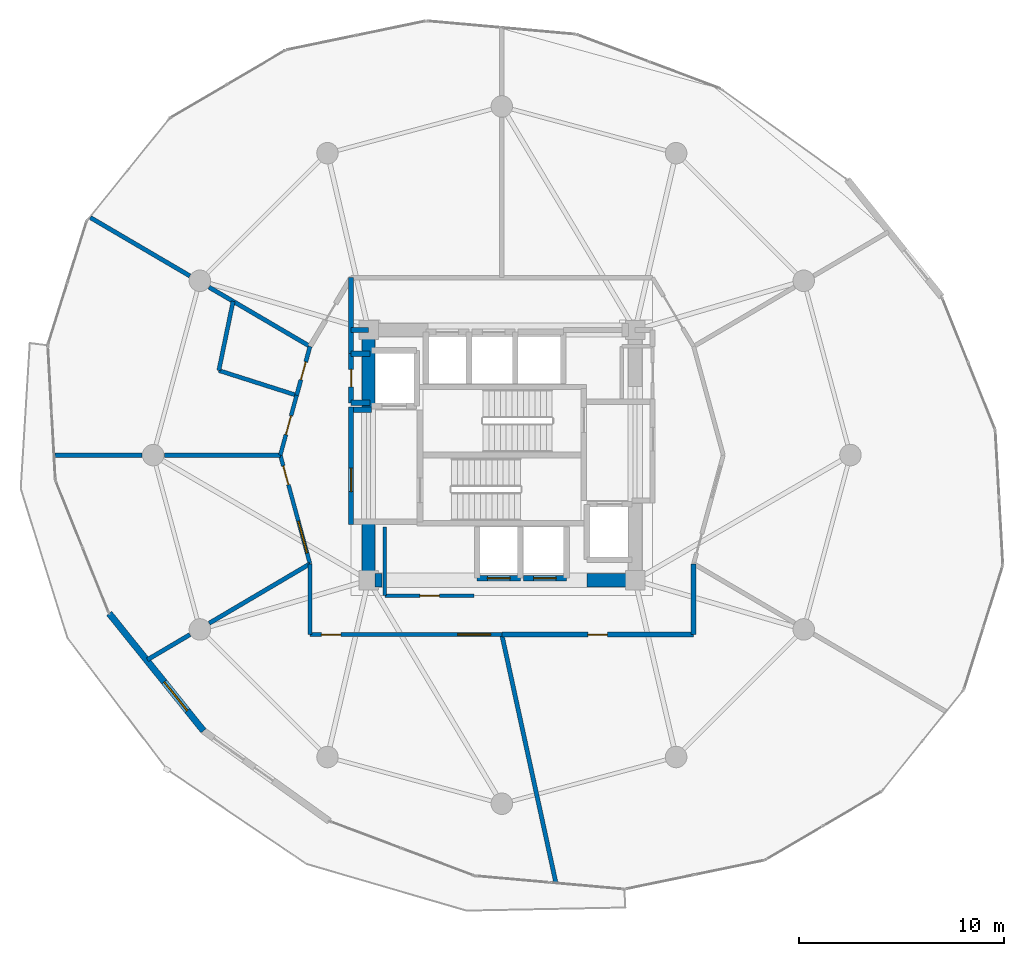
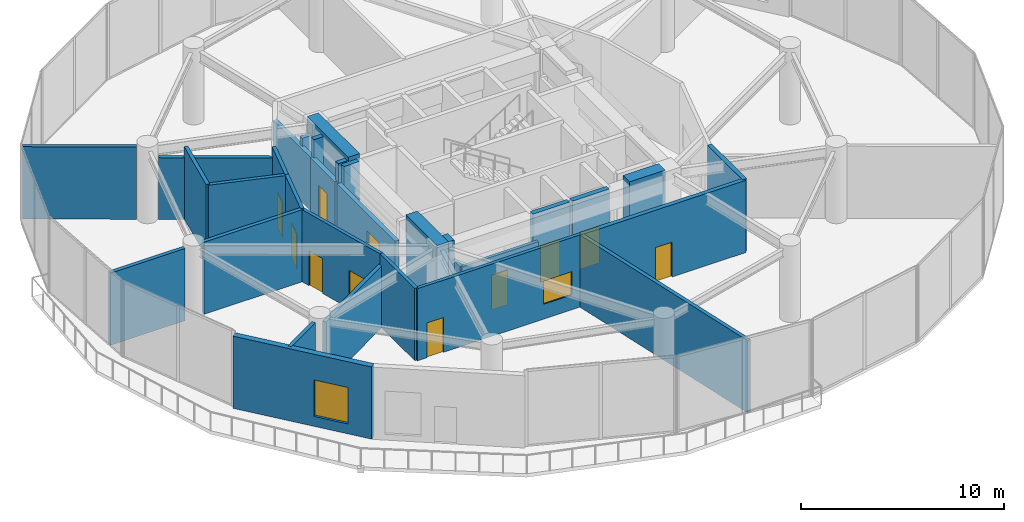
# One storey, part 24 of 28: 32 walls, 10 doors, 3 windows, 13 openings.
"""IFC4 building model written with IfcOpenShell, lengths in metres."""

import ifcopenshell
import ifcopenshell.guid

model = None  # the IFC model being written
_history = None  # IfcOwnerHistory: only IFC2X3 demands one
_inside = {}  # id of a spatial element -> (the spatial element, [elements in it])
_under = {}  # id of a project, library or spatial element -> (it, [spatial elements below it])
_declared = {}  # id of a project -> (the project, [libraries it declares])
_typed = {}  # id of a type object -> (the type object, [elements of that type])
_made_of = {}  # id of a material, layer set ... -> (it, [elements and type objects made of it])


def new_model(schema):
    """Start an empty IFC model of exactly this schema.

    Asked for "IFC4X3", IfcOpenShell would pick the latest addendum, in which some entities
    have other attributes; the version numbers below select the first issue.
    IFC2X3 requires an IfcOwnerHistory on every rooted entity: one is made here for all.
    """
    global model, _history
    if schema == "IFC4X3":
        model = ifcopenshell.file(schema_version=(4, 3, 0, 0))
    else:
        model = ifcopenshell.file(schema=schema)
    _inside.clear()
    _under.clear()
    _declared.clear()
    _typed.clear()
    _made_of.clear()
    _history = None
    if model.schema == "IFC2X3":
        org = make("IfcOrganization", Name="unknown")
        user = make(
            "IfcPersonAndOrganization",
            ThePerson=make("IfcPerson", FamilyName="unknown"),
            TheOrganization=org,
        )
        app = make(
            "IfcApplication",
            ApplicationDeveloper=org,
            Version="unknown",
            ApplicationFullName="unknown",
            ApplicationIdentifier="unknown",
        )
        _history = make(
            "IfcOwnerHistory",
            OwningUser=user,
            OwningApplication=app,
            ChangeAction="ADDED",
            CreationDate=0,
        )
    return model


def make(cls, **values):
    """One entity of the class cls with the attributes given. An attribute that is None is left unset."""
    return model.create_entity(
        cls, **{name: value for name, value in values.items() if value is not None}
    )


def rooted(cls, **values):
    """An entity with a GlobalId (a new one), such as an element, a storey or a relation."""
    return make(cls, GlobalId=ifcopenshell.guid.new(), OwnerHistory=_history, **values)


def si_unit(unit_type, name, prefix=None):
    """IfcSIUnit, for example si_unit("LENGTHUNIT", "METRE", prefix="MILLI")."""
    return make("IfcSIUnit", UnitType=unit_type, Prefix=prefix, Name=name)


def assignment(units):
    """IfcUnitAssignment: the units of a project."""
    return None if units is None else make("IfcUnitAssignment", Units=units)


def point(xyz):
    """IfcCartesianPoint."""
    return None if xyz is None else make("IfcCartesianPoint", Coordinates=xyz)


def direction(xyz):
    """IfcDirection."""
    return None if xyz is None else make("IfcDirection", DirectionRatios=xyz)


def frame(location, z_axis=None, x_axis=None):
    """IfcAxis2Placement3D, a coordinate frame: its origin and axes. An axis left out is left unset."""
    return make(
        "IfcAxis2Placement3D",
        Location=point(location),
        Axis=direction(z_axis),
        RefDirection=direction(x_axis),
    )


def frame_2d(location, x_axis=None):
    """IfcAxis2Placement2D, a coordinate frame in the plane: its origin and x axis."""
    return make(
        "IfcAxis2Placement2D", Location=point(location), RefDirection=direction(x_axis)
    )


def origin():
    """The frame at (0, 0, 0) with its axes left unset."""
    return frame((0.0, 0.0, 0.0))


def place(relative_to, where):
    """IfcLocalPlacement: puts the frame where relative to a parent placement (None: the world)."""
    return make(
        "IfcLocalPlacement", PlacementRelTo=relative_to, RelativePlacement=where
    )


def context(
    kind, dimensions, precision=None, world=None, true_north=None, identifier=None
):
    """IfcGeometricRepresentationContext, for example the 3D "Model" context."""
    return make(
        "IfcGeometricRepresentationContext",
        ContextIdentifier=identifier,
        ContextType=kind,
        CoordinateSpaceDimension=dimensions,
        Precision=precision,
        WorldCoordinateSystem=world,
        TrueNorth=true_north,
    )


def subcontext(parent, identifier, kind, view, scale=None):
    """IfcGeometricRepresentationSubContext, for example "Body" below "Model"."""
    return make(
        "IfcGeometricRepresentationSubContext",
        ContextIdentifier=identifier,
        ContextType=kind,
        ParentContext=parent,
        TargetScale=scale,
        TargetView=view,
    )


def project(units=None, contexts=None):
    """IfcProject with its units and contexts."""
    return rooted(
        "IfcProject",
        Name="project",
        RepresentationContexts=contexts,
        UnitsInContext=assignment(units),
    )


def spatial(cls, under=None, at=None, **own):
    """A site, building, storey or space (cls), placed at a placement, below another one or the project."""
    s = rooted(cls, ObjectPlacement=at, **own)
    if under is not None:
        _under.setdefault(under.id(), (under, []))[1].append(s)
    return s


def profile(cls, at=None, kind="AREA", **sizes):
    """A parametric profile (cls). Its sizes go by their IFC names, for example OverallWidth=200.0."""
    return make(cls, ProfileType=kind, Position=at, **sizes)


def rectangle(**sizes):
    """IfcRectangleProfileDef."""
    return profile("IfcRectangleProfileDef", **sizes)


def extrude(swept, where, along, depth):
    """IfcExtrudedAreaSolid: the profile swept, set in the frame where, extruded along a direction by depth."""
    return make(
        "IfcExtrudedAreaSolid",
        SweptArea=swept,
        Position=where,
        ExtrudedDirection=direction(along),
        Depth=depth,
    )


def shape(context_of_items, identifier, shape_type, items):
    """IfcShapeRepresentation: the items that make up one representation, for example the "Body"."""
    return make(
        "IfcShapeRepresentation",
        ContextOfItems=context_of_items,
        RepresentationIdentifier=identifier,
        RepresentationType=shape_type,
        Items=items,
    )


def material(Name=None, Category=None):
    """IfcMaterial."""
    return make("IfcMaterial", Name=Name, Category=Category)


def layer(
    of_material, thickness, ventilated=None, Name=None, Category=None, Priority=None
):
    """IfcMaterialLayer: one layer of a wall or slab, of a material (None: an air gap)."""
    return make(
        "IfcMaterialLayer",
        Material=of_material,
        LayerThickness=thickness,
        IsVentilated=ventilated,
        Name=Name,
        Category=Category,
        Priority=Priority,
    )


def layer_set(layers, Name=None):
    """IfcMaterialLayerSet."""
    return make("IfcMaterialLayerSet", MaterialLayers=layers, LayerSetName=Name)


def made_of(thing, what):
    """Note that an element or type object is made of a material, layer set ...; save() writes the relation."""
    if what is not None:
        _made_of.setdefault(what.id(), (what, []))[1].append(thing)
    return thing


def type_object(cls, material=None, **own):
    """A type object (cls), such as IfcWallType, which elements share."""
    return made_of(rooted(cls, **own), material)


def element(
    cls,
    number,
    at=None,
    inside=None,
    cuts=None,
    type_object=None,
    material=None,
    context=None,
    identifier="Body",
    shape_type=None,
    held_by="IfcProductDefinitionShape",
    body=None,
    shapes=None,
    **own,
):
    """One element of the class cls, such as IfcWall. Its Tag is "e" and its number.

    at: its placement. inside: the storey or other place that contains it. cuts: it is an
    opening in that element (IfcRelVoidsElement). A single representation is given by context,
    identifier, shape_type and body (its items); several are given by shapes. held_by: the class
    of the entity that holds the representations. save() writes the other relations.
    """
    e = rooted(cls, Tag="e%d" % number, ObjectPlacement=at, **own)
    if body is not None:
        shapes = [shape(context, identifier, shape_type, body)]
    if shapes is not None:
        e.Representation = make(held_by, Representations=shapes)
    if inside is not None:
        _inside.setdefault(inside.id(), (inside, []))[1].append(e)
    if cuts is not None:
        rooted(
            "IfcRelVoidsElement", RelatingBuildingElement=cuts, RelatedOpeningElement=e
        )
    if type_object is not None:
        _typed.setdefault(type_object.id(), (type_object, []))[1].append(e)
    return made_of(e, material)


def fill(opening, filler):
    """IfcRelFillsElement: the door or window that sits in an opening."""
    return rooted(
        "IfcRelFillsElement",
        RelatingOpeningElement=opening,
        RelatedBuildingElement=filler,
    )


def aggregate(whole, parts):
    """IfcRelAggregates: a whole, such as a stair, and the parts it consists of."""
    return rooted("IfcRelAggregates", RelatingObject=whole, RelatedObjects=parts)


def save(model, path):
    """Write the relations noted so far, then the file.

    IfcRelAggregates (storeys below a building ...), IfcRelContainedInSpatialStructure (elements
    in a storey), IfcRelDefinesByType, IfcRelAssociatesMaterial and IfcRelDeclares: one each for
    every whole, place, type object, material and project.
    """
    for whole, parts in _under.values():
        aggregate(whole, parts)
    for where, things in _inside.values():
        rooted(
            "IfcRelContainedInSpatialStructure",
            RelatedElements=things,
            RelatingStructure=where,
        )
    for kind, things in _typed.values():
        rooted("IfcRelDefinesByType", RelatedObjects=things, RelatingType=kind)
    for what, things in _made_of.values():
        rooted("IfcRelAssociatesMaterial", RelatedObjects=things, RelatingMaterial=what)
    for by, libraries in _declared.values():
        rooted("IfcRelDeclares", RelatingContext=by, RelatedDefinitions=libraries)
    model.write(path)


model = new_model("IFC4")

# Units and contexts
model_context = context("Model", 3, precision=1e-05, world=origin(), true_north=direction((0.0, 1.0)))
body_context = subcontext(model_context, "Body", "Model", "MODEL_VIEW")
ifc_project = project(units=[si_unit("LENGTHUNIT", "METRE"), si_unit("AREAUNIT", "SQUARE_METRE"), si_unit("VOLUMEUNIT", "CUBIC_METRE"), si_unit("PLANEANGLEUNIT", "RADIAN"), si_unit("MASSUNIT", "GRAM", prefix="KILO")], contexts=[model_context])

# Site, building, storey
site_placement = place(None, origin())
site = spatial("IfcSite", under=ifc_project, at=site_placement, CompositionType="ELEMENT")
building_placement = place(site_placement, origin())
building = spatial("IfcBuilding", under=site, at=building_placement, Name="Solvirekh Grand Hotel", CompositionType="ELEMENT")
storey_placement = place(building_placement, frame((0.0, 0.0, 98.0)))
storey = spatial("IfcBuildingStorey", under=building, at=storey_placement, Name="L24", CompositionType="ELEMENT", Elevation=98.0)

# Wall, opening, door
ifc_material_1 = material(Name="Concrete C40/50", Category="concrete")
ifc_layer_1 = layer(ifc_material_1, 0.280029296875)
ifc_layer_set_1 = layer_set([ifc_layer_1], Name="Concrete C40/50")
wall_type_1 = type_object("IfcWallType", Name="CoreShaftWall_RC280", PredefinedType="SOLIDWALL", material=ifc_layer_set_1)
wall_1_placement = place(storey_placement, frame((-1.199951171875, -6.0, 0.0), z_axis=(0.0, 0.0, 1.0), x_axis=(1.0, 0.0, 0.0)))
wall_1 = element("IfcWall", 1, at=wall_1_placement, inside=storey, type_object=wall_type_1, Name="L24 MP-1 hoistway S wall", PredefinedType="SOLIDWALL", context=body_context, shape_type="SweptSolid", body=[
    extrude(rectangle(XDim=2.099853515625, YDim=0.280029296875, at=frame_2d((1.0498046875, 0.0))), origin(), (0.0, 0.0, 1.0), 4.35009765625),
])
opening_1_placement = place(wall_1_placement, frame((0.5, 0.0, 0.0)))
opening_1 = element("IfcOpeningElement", 2, at=opening_1_placement, cuts=wall_1, Name="Opening LD01", PredefinedType="OPENING", context=body_context, shape_type="SweptSolid", body=[
    extrude(rectangle(XDim=1.10009765625, YDim=2.199951171875, at=frame_2d((0.550048828125, 1.10009765625))), frame((0.0, 0.14990234375, 0.0), z_axis=(0.0, -1.0, 0.0), x_axis=(1.0, 0.0, 0.0)), (0.0, 0.0, 1.0), 0.300048828125),
])
ifc_material_2 = material(Name="Fire-Rated Steel Door Assembly", Category="steel")
door_type_1 = type_object("IfcDoorType", Name="Door_LiftLanding_1100X2200", OperationType="SLIDING_TO_LEFT", PredefinedType="DOOR", material=ifc_material_2)
door_1_placement = place(opening_1_placement, origin())
door_1 = element("IfcDoor", 3, at=door_1_placement, inside=storey, type_object=door_type_1, Name="L24 MP-1 sliding lift landing door", OperationType="SLIDING_TO_LEFT", OverallHeight=2.199951171875, OverallWidth=1.10009765625, PredefinedType="DOOR", context=body_context, shape_type="SweptSolid", body=[
    extrude(rectangle(XDim=1.10009765625, YDim=2.199951171875, at=frame_2d((0.550048828125, 1.10009765625))), frame((0.0, 0.02490234375, 0.0), z_axis=(0.0, -1.0, 0.0), x_axis=(1.0, 0.0, 0.0)), (0.0, 0.0, 1.0), 0.050048828125),
])
fill(opening_1, door_1)

wall_2_placement = place(storey_placement, frame((1.050048828125, -6.0, 0.0), z_axis=(0.0, 0.0, 1.0), x_axis=(1.0, 0.0, 0.0)))
wall_2 = element("IfcWall", 4, at=wall_2_placement, inside=storey, type_object=wall_type_1, Name="L24 MP-2 hoistway S wall", PredefinedType="SOLIDWALL", context=body_context, shape_type="SweptSolid", body=[
    extrude(rectangle(XDim=2.099853515625, YDim=0.280029296875, at=frame_2d((1.0498046875, 0.0))), origin(), (0.0, 0.0, 1.0), 4.35009765625),
])
opening_2_placement = place(wall_2_placement, frame((0.5, 0.0, 0.0)))
opening_2 = element("IfcOpeningElement", 5, at=opening_2_placement, cuts=wall_2, Name="Opening LD01", PredefinedType="OPENING", context=body_context, shape_type="SweptSolid", body=[
    extrude(rectangle(XDim=1.10009765625, YDim=2.199951171875, at=frame_2d((0.550048828125, 1.10009765625))), frame((0.0, 0.14990234375, 0.0), z_axis=(0.0, -1.0, 0.0), x_axis=(1.0, 0.0, 0.0)), (0.0, 0.0, 1.0), 0.300048828125),
])
door_2_placement = place(opening_2_placement, origin())
door_2 = element("IfcDoor", 6, at=door_2_placement, inside=storey, type_object=door_type_1, Name="L24 MP-2 sliding lift landing door", OperationType="SLIDING_TO_LEFT", OverallHeight=2.199951171875, OverallWidth=1.10009765625, PredefinedType="DOOR", context=body_context, shape_type="SweptSolid", body=[
    extrude(rectangle(XDim=1.10009765625, YDim=2.199951171875, at=frame_2d((0.550048828125, 1.10009765625))), frame((0.0, 0.02490234375, 0.0), z_axis=(0.0, -1.0, 0.0), x_axis=(1.0, 0.0, 0.0)), (0.0, 0.0, 1.0), 0.050048828125),
])
fill(opening_2, door_2)

# Walls
ifc_material_3 = material(Name="Concrete C50/60", Category="concrete")
ifc_layer_2 = layer(ifc_material_3, 0.64990234375)
ifc_layer_set_2 = layer_set([ifc_layer_2], Name="Concrete C50/60")
wall_type_2 = type_object("IfcWallType", Name="CoreWall_RC650", PredefinedType="SHEAR", material=ifc_layer_set_2)
wall_3_placement = place(storey_placement, frame((-6.175048828125, -6.10009765625, 0.0), z_axis=(0.0, 0.0, 1.0), x_axis=(1.0, 0.0, 0.0)))
element("IfcWall", 7, at=wall_3_placement, inside=storey, type_object=wall_type_2, Name="L24 core corner shear wall SW-S", PredefinedType="SHEAR", context=body_context, shape_type="SweptSolid", body=[
    extrude(rectangle(XDim=0.324951171875, YDim=0.64990234375, at=frame_2d((0.16259765625, 0.0))), origin(), (0.0, 0.0, 1.0), 4.60009765625),
])
wall_4_placement = place(storey_placement, frame((4.14990234375, -6.10009765625, 0.0), z_axis=(0.0, 0.0, 1.0), x_axis=(1.0, 0.0, 0.0)))
element("IfcWall", 8, at=wall_4_placement, inside=storey, type_object=wall_type_2, Name="L24 core corner shear wall SE-S", PredefinedType="SHEAR", context=body_context, shape_type="SweptSolid", body=[
    extrude(rectangle(XDim=2.025146484375, YDim=0.64990234375, at=frame_2d((1.0126953125, 0.0))), origin(), (0.0, 0.0, 1.0), 4.60009765625),
])
wall_5_placement = place(storey_placement, frame((-6.5, 2.35009765625, 0.0), z_axis=(0.0, 0.0, 1.0), x_axis=(0.0, 1.0, 0.0)))
element("IfcWall", 9, at=wall_5_placement, inside=storey, type_object=wall_type_2, Name="L24 core corner shear wall WN-W", PredefinedType="SHEAR", context=body_context, shape_type="SweptSolid", body=[
    extrude(rectangle(XDim=4.074951171875, YDim=0.64990234375, at=frame_2d((2.03759765625, 0.0))), origin(), (0.0, 0.0, 1.0), 4.60009765625),
])
wall_6_placement = place(storey_placement, frame((-6.5, -6.425048828125, 0.0), z_axis=(0.0, 0.0, 1.0), x_axis=(0.0, 1.0, 0.0)))
element("IfcWall", 10, at=wall_6_placement, inside=storey, type_object=wall_type_2, Name="L24 core corner shear wall WS-W", PredefinedType="SHEAR", context=body_context, shape_type="SweptSolid", body=[
    extrude(rectangle(XDim=3.074951171875, YDim=0.64990234375, at=frame_2d((1.53759765625, 0.0))), origin(), (0.0, 0.0, 1.0), 4.60009765625),
])

# Wall, opening, window
ifc_material_4 = material(Name="Precast concrete C45/55", Category="concrete")
ifc_layer_3 = layer(ifc_material_4, 0.320068359375)
ifc_layer_set_3 = layer_set([ifc_layer_3], Name="Precast concrete C45/55")
wall_type_3 = type_object("IfcWallType", Name="ExtLobbyWall_RC320", PredefinedType="SOLIDWALL", material=ifc_layer_set_3)
wall_7_placement = place(storey_placement, frame((-14.5458984375, -13.443115234375, 0.0), z_axis=(0.0, 0.0, 1.0), x_axis=(-0.626452409109, 0.77945967126, 0.0)))
wall_7 = element("IfcWall", 11, at=wall_7_placement, inside=storey, type_object=wall_type_3, Name="L24 exterior structural wall chord 14", PredefinedType="SOLIDWALL", context=body_context, shape_type="SweptSolid", body=[
    extrude(rectangle(XDim=7.34619140625, YDim=0.320068359375, at=frame_2d((3.673095703125, 0.0))), origin(), (0.0, 0.0, 1.0), 4.35009765625),
])
opening_3_placement = place(wall_7_placement, frame((1.257080078125, 0.0, 0.60009765625)))
opening_3 = element("IfcOpeningElement", 12, at=opening_3_placement, cuts=wall_7, Name="Opening SK02", PredefinedType="OPENING", context=body_context, shape_type="SweptSolid", body=[
    extrude(rectangle(XDim=1.800048828125, YDim=2.199951171875, at=frame_2d((0.89990234375, 1.10009765625))), frame((0.0, 0.169921875, 0.0), z_axis=(0.0, -1.0, 0.0), x_axis=(1.0, 0.0, 0.0)), (0.0, 0.0, 1.0), 0.340087890625),
])
ifc_material_5 = material(Name="Champagne Low-Iron Crown Laminated Glass", Category="glass")
window_type_1 = type_object("IfcWindowType", Name="Skylight_Pod_1800X2200", PartitioningType="SINGLE_PANEL", PredefinedType="SKYLIGHT", material=ifc_material_5)
window_1_placement = place(opening_3_placement, origin())
window_1 = element("IfcWindow", 13, at=window_1_placement, inside=storey, type_object=window_type_1, Name="L24 high-level clerestory skylight 14", OverallHeight=2.199951171875, OverallWidth=1.800048828125, PartitioningType="SINGLE_PANEL", PredefinedType="SKYLIGHT", context=body_context, shape_type="SweptSolid", body=[
    extrude(rectangle(XDim=1.800048828125, YDim=2.199951171875, at=frame_2d((0.89990234375, 1.10009765625))), frame((0.0, 0.030029296875, 0.0), z_axis=(0.0, -1.0, 0.0), x_axis=(1.0, 0.0, 0.0)), (0.0, 0.0, 1.0), 0.06005859375),
])
fill(opening_3, window_1)

# Wall, opening, door
ifc_material_6 = material(Name="Acoustic Gypsum Partition Assembly")
ifc_layer_4 = layer(ifc_material_6, 0.1650390625)
ifc_layer_set_4 = layer_set([ifc_layer_4], Name="Acoustic Gypsum Partition Assembly")
wall_type_4 = type_object("IfcWallType", Name="Part_BOH_165", PredefinedType="PARTITIONING", material=ifc_layer_set_4)
wall_8_placement = place(storey_placement, frame((-5.699951171875, -6.85009765625, 0.0), z_axis=(0.0, 0.0, 1.0), x_axis=(1.0, 0.0, 0.0)))
wall_8 = element("IfcWall", 14, at=wall_8_placement, inside=storey, type_object=wall_type_4, Name="L24 Mid-Zone Housekeeping Linen Room wall 1", PredefinedType="PARTITIONING", context=body_context, shape_type="SweptSolid", body=[
    extrude(rectangle(XDim=4.349853515625, YDim=0.1650390625, at=frame_2d((2.1748046875, 0.0))), origin(), (0.0, 0.0, 1.0), 3.235107421875),
])
opening_4_placement = place(wall_8_placement, frame((1.699951171875, 0.0, 0.0)))
opening_4 = element("IfcOpeningElement", 15, at=opening_4_placement, cuts=wall_8, Name="Opening D10", PredefinedType="OPENING", context=body_context, shape_type="SweptSolid", body=[
    extrude(rectangle(XDim=0.949951171875, YDim=2.10009765625, at=frame_2d((0.47509765625, 1.050048828125))), frame((0.0, 0.092529296875, 0.0), z_axis=(0.0, -1.0, 0.0), x_axis=(1.0, 0.0, 0.0)), (0.0, 0.0, 1.0), 0.18505859375),
])
ifc_material_7 = material(Name="Anodized Bronze Aluminium 6063-T6", Category="aluminium")
door_type_2 = type_object("IfcDoorType", Name="Door_RoomInt_950X2100", OperationType="NOTDEFINED", PredefinedType="DOOR", material=ifc_material_7)
door_3_placement = place(opening_4_placement, origin())
door_3 = element("IfcDoor", 16, at=door_3_placement, inside=storey, type_object=door_type_2, Name="L24 Mid-Zone Housekeeping Linen Room door", OperationType="SINGLE_SWING_LEFT", OverallHeight=2.10009765625, OverallWidth=0.949951171875, PredefinedType="DOOR", context=body_context, shape_type="SweptSolid", body=[
    extrude(rectangle(XDim=0.949951171875, YDim=2.10009765625, at=frame_2d((0.47509765625, 1.050048828125))), frame((0.0, 0.02490234375, 0.0), z_axis=(0.0, -1.0, 0.0), x_axis=(1.0, 0.0, 0.0)), (0.0, 0.0, 1.0), 0.050048828125),
])
fill(opening_4, door_3)

# Wall
wall_9_placement = place(storey_placement, frame((-5.699951171875, -3.5, 0.0), z_axis=(0.0, 0.0, 1.0), x_axis=(0.0, -1.0, 0.0)))
element("IfcWall", 17, at=wall_9_placement, inside=storey, type_object=wall_type_4, Name="L24 Mid-Zone Housekeeping Linen Room wall 4", PredefinedType="PARTITIONING", context=body_context, shape_type="SweptSolid", body=[
    extrude(rectangle(XDim=3.35009765625, YDim=0.1650390625, at=frame_2d((1.675048828125, 0.0))), origin(), (0.0, 0.0, 1.0), 3.235107421875),
])

# Wall, opening, door
ifc_layer_5 = layer(ifc_material_6, 0.239990234375)
ifc_layer_set_5 = layer_set([ifc_layer_5], Name="Acoustic Gypsum Partition Assembly")
wall_type_5 = type_object("IfcWallType", Name="Part_Corridor_240", PredefinedType="PARTITIONING", material=ifc_layer_set_5)
wall_10_placement = place(storey_placement, frame((-7.35009765625, -3.3798828125, 0.0), z_axis=(0.0, 0.0, 1.0), x_axis=(0.0, 1.0, 0.0)))
wall_10 = element("IfcWall", 18, at=wall_10_placement, inside=storey, type_object=wall_type_5, Name="L24 west firefighting lobby smoke screen wall", PredefinedType="PARTITIONING", context=body_context, shape_type="SweptSolid", body=[
    extrude(rectangle(XDim=5.719970703125, YDim=0.239990234375, at=frame_2d((2.85986328125, 0.0))), origin(), (0.0, 0.0, 1.0), 3.235107421875),
])
opening_5_placement = place(wall_10_placement, frame((1.59912109375, 0.0, 0.0)))
opening_5 = element("IfcOpeningElement", 19, at=opening_5_placement, cuts=wall_10, Name="Opening D06", PredefinedType="OPENING", context=body_context, shape_type="SweptSolid", body=[
    extrude(rectangle(XDim=1.14990234375, YDim=2.199951171875, at=frame_2d((0.574951171875, 1.10009765625))), frame((0.0, 0.1298828125, 0.0), z_axis=(0.0, -1.0, 0.0), x_axis=(1.0, 0.0, 0.0)), (0.0, 0.0, 1.0), 0.260009765625),
])
door_type_3 = type_object("IfcDoorType", Name="Door_FFLobby_1150X2200", OperationType="NOTDEFINED", PredefinedType="DOOR", material=ifc_material_2)
door_4_placement = place(opening_5_placement, origin())
door_4 = element("IfcDoor", 20, at=door_4_placement, inside=storey, type_object=door_type_3, Name="L24 west firefighting lobby smoke door", OperationType="SINGLE_SWING_LEFT", OverallHeight=2.199951171875, OverallWidth=1.14990234375, PredefinedType="DOOR", context=body_context, shape_type="SweptSolid", body=[
    extrude(rectangle(XDim=1.14990234375, YDim=2.199951171875, at=frame_2d((0.574951171875, 1.10009765625))), frame((0.0, 0.02490234375, 0.0), z_axis=(0.0, -1.0, 0.0), x_axis=(1.0, 0.0, 0.0)), (0.0, 0.0, 1.0), 0.050048828125),
])
fill(opening_5, door_4)

# Walls
wall_11_placement = place(storey_placement, frame((-7.35009765625, 4.949951171875, 0.0), z_axis=(0.0, 0.0, 1.0), x_axis=(0.0, 1.0, 0.0)))
element("IfcWall", 21, at=wall_11_placement, inside=storey, type_object=wall_type_5, Name="L24 north lift lobby west wall", PredefinedType="PARTITIONING", context=body_context, shape_type="SweptSolid", body=[
    extrude(rectangle(XDim=3.699951171875, YDim=0.239990234375, at=frame_2d((1.85009765625, 0.0))), origin(), (0.0, 0.0, 1.0), 3.235107421875),
])
wall_12_placement = place(storey_placement, frame((-7.35009765625, 6.10009765625, 0.0), z_axis=(0.0, 0.0, 1.0), x_axis=(1.0, 0.0, 0.0)))
element("IfcWall", 22, at=wall_12_placement, inside=storey, type_object=wall_type_5, Name="L24 NW core corner closure wall", PredefinedType="PARTITIONING", context=body_context, shape_type="SweptSolid", body=[
    extrude(rectangle(XDim=0.85009765625, YDim=0.239990234375, at=frame_2d((0.425048828125, 0.0))), origin(), (0.0, 0.0, 1.0), 3.718017578125),
])

# Wall, opening, door
wall_13_placement = place(storey_placement, frame((0.0, -8.75, 0.0), z_axis=(0.0, 0.0, 1.0), x_axis=(1.0, 0.0, 0.0)))
wall_13 = element("IfcWall", 23, at=wall_13_placement, inside=storey, type_object=wall_type_5, Name="L24 L24 Butler Valet & Linen Steward Room corridor wall", PredefinedType="PARTITIONING", context=body_context, shape_type="SweptSolid", body=[
    extrude(rectangle(XDim=9.35302734375, YDim=0.239990234375, at=frame_2d((4.676513671875, 0.0))), origin(), (0.0, 0.0, 1.0), 4.35009765625),
])
opening_6_placement = place(wall_13_placement, frame((4.201904296875, 0.0, 0.0)))
opening_6 = element("IfcOpeningElement", 24, at=opening_6_placement, cuts=wall_13, Name="Opening D10", PredefinedType="OPENING", context=body_context, shape_type="SweptSolid", body=[
    extrude(rectangle(XDim=0.949951171875, YDim=2.10009765625, at=frame_2d((0.47509765625, 1.050048828125))), frame((0.0, 0.1298828125, 0.0), z_axis=(0.0, -1.0, 0.0), x_axis=(1.0, 0.0, 0.0)), (0.0, 0.0, 1.0), 0.260009765625),
])
door_5_placement = place(opening_6_placement, origin())
door_5 = element("IfcDoor", 25, at=door_5_placement, inside=storey, type_object=door_type_2, Name="L24 L24 Butler Valet & Linen Steward Room entrance door", OperationType="SINGLE_SWING_LEFT", OverallHeight=2.10009765625, OverallWidth=0.949951171875, PredefinedType="DOOR", context=body_context, shape_type="SweptSolid", body=[
    extrude(rectangle(XDim=0.949951171875, YDim=2.10009765625, at=frame_2d((0.47509765625, 1.050048828125))), frame((0.0, 0.02490234375, 0.0), z_axis=(0.0, -1.0, 0.0), x_axis=(1.0, 0.0, 0.0)), (0.0, 0.0, 1.0), 0.050048828125),
])
fill(opening_6, door_5)

# Wall
wall_14_placement = place(storey_placement, frame((9.35302734375, -8.75, 0.0), z_axis=(0.0, 0.0, 1.0), x_axis=(0.0, 1.0, 0.0)))
element("IfcWall", 26, at=wall_14_placement, inside=storey, type_object=wall_type_5, Name="L24 L24 Butler Valet & Linen Steward Room corridor wall 2", PredefinedType="PARTITIONING", context=body_context, shape_type="SweptSolid", body=[
    extrude(rectangle(XDim=3.449951171875, YDim=0.239990234375, at=frame_2d((1.72509765625, 0.0))), origin(), (0.0, 0.0, 1.0), 4.35009765625),
])

# Wall, opening, door
ifc_layer_6 = layer(ifc_material_6, 0.18994140625)
ifc_layer_set_6 = layer_set([ifc_layer_6], Name="Acoustic Gypsum Partition Assembly")
wall_type_6 = type_object("IfcWallType", Name="Part_GuestDemise_190", PredefinedType="PARTITIONING", material=ifc_layer_set_6)
wall_15_placement = place(storey_placement, frame((-10.00390625, 2.9150390625, 0.0), z_axis=(0.0, 0.0, 1.0), x_axis=(-0.26346604157, -0.964668671068, 0.0)))
wall_15 = element("IfcWall", 27, at=wall_15_placement, inside=storey, type_object=wall_type_6, Name="L24 Sky Cloakroom & Luggage Salon corridor wall", PredefinedType="PARTITIONING", context=body_context, shape_type="SweptSolid", body=[
    extrude(rectangle(XDim=3.021728515625, YDim=0.18994140625, at=frame_2d((1.5107421875, 0.0))), origin(), (0.0, 0.0, 1.0), 4.35009765625),
])
opening_7_placement = place(wall_15_placement, frame((1.035888671875, 0.0, 0.0)))
opening_7 = element("IfcOpeningElement", 28, at=opening_7_placement, cuts=wall_15, Name="Opening D10", PredefinedType="OPENING", context=body_context, shape_type="SweptSolid", body=[
    extrude(rectangle(XDim=0.949951171875, YDim=2.10009765625, at=frame_2d((0.47509765625, 1.050048828125))), frame((0.0, 0.10498046875, 0.0), z_axis=(0.0, -1.0, 0.0), x_axis=(1.0, 0.0, 0.0)), (0.0, 0.0, 1.0), 0.2099609375),
])
door_6_placement = place(opening_7_placement, origin())
door_6 = element("IfcDoor", 29, at=door_6_placement, inside=storey, type_object=door_type_2, Name="L24 Sky Cloakroom & Luggage Salon entrance door", OperationType="SINGLE_SWING_LEFT", OverallHeight=2.10009765625, OverallWidth=0.949951171875, PredefinedType="DOOR", context=body_context, shape_type="SweptSolid", body=[
    extrude(rectangle(XDim=0.949951171875, YDim=2.10009765625, at=frame_2d((0.47509765625, 1.050048828125))), frame((0.0, 0.02490234375, 0.0), z_axis=(0.0, -1.0, 0.0), x_axis=(1.0, 0.0, 0.0)), (0.0, 0.0, 1.0), 0.050048828125),
])
fill(opening_7, door_6)

# Wall, openings, door, window
wall_16_placement = place(storey_placement, frame((-10.800048828125, 0.0, 0.0), z_axis=(0.0, 0.0, 1.0), x_axis=(0.263380602271, -0.964692001805, 0.0)))
wall_16 = element("IfcWall", 30, at=wall_16_placement, inside=storey, type_object=wall_type_6, Name="L24 Transfer Reading Lounge corridor wall", PredefinedType="PARTITIONING", context=body_context, shape_type="SweptSolid", body=[
    extrude(rectangle(XDim=5.494140625, YDim=0.18994140625, at=frame_2d((2.7470703125, 0.0))), origin(), (0.0, 0.0, 1.0), 4.35009765625),
])
opening_8_placement = place(wall_16_placement, frame((0.550048828125, 0.0, 0.0)))
opening_8 = element("IfcOpeningElement", 31, at=opening_8_placement, cuts=wall_16, Name="Opening D10", PredefinedType="OPENING", context=body_context, shape_type="SweptSolid", body=[
    extrude(rectangle(XDim=0.949951171875, YDim=2.10009765625, at=frame_2d((0.47509765625, 1.050048828125))), frame((0.0, 0.10498046875, 0.0), z_axis=(0.0, -1.0, 0.0), x_axis=(1.0, 0.0, 0.0)), (0.0, 0.0, 1.0), 0.2099609375),
])
opening_9_placement = place(wall_16_placement, frame((3.343994140625, 0.0, 0.89990234375)))
opening_9 = element("IfcOpeningElement", 32, at=opening_9_placement, cuts=wall_16, Name="Opening W04", PredefinedType="OPENING", context=body_context, shape_type="SweptSolid", body=[
    extrude(rectangle(XDim=1.60009765625, YDim=1.39990234375, at=frame_2d((0.800048828125, 0.699951171875))), frame((0.0, 0.10498046875, 0.0), z_axis=(0.0, -1.0, 0.0), x_axis=(1.0, 0.0, 0.0)), (0.0, 0.0, 1.0), 0.2099609375),
])
door_7_placement = place(opening_8_placement, origin())
door_7 = element("IfcDoor", 33, at=door_7_placement, inside=storey, type_object=door_type_2, Name="L24 Transfer Reading Lounge entrance door", OperationType="SINGLE_SWING_RIGHT", OverallHeight=2.10009765625, OverallWidth=0.949951171875, PredefinedType="DOOR", context=body_context, shape_type="SweptSolid", body=[
    extrude(rectangle(XDim=0.949951171875, YDim=2.10009765625, at=frame_2d((0.47509765625, 1.050048828125))), frame((0.0, 0.02490234375, 0.0), z_axis=(0.0, -1.0, 0.0), x_axis=(1.0, 0.0, 0.0)), (0.0, 0.0, 1.0), 0.050048828125),
])
fill(opening_8, door_7)
ifc_material_8 = material(Name="Fire-Rated Ceramic Glazing", Category="glass")
window_type_2 = type_object("IfcWindowType", Name="Win_ConfInt_1600X1400", PartitioningType="SINGLE_PANEL", PredefinedType="WINDOW", material=ifc_material_8)
window_2_placement = place(opening_9_placement, origin())
window_2 = element("IfcWindow", 34, at=window_2_placement, inside=storey, type_object=window_type_2, Name="L24 Transfer Reading Lounge interior glazed screen", OverallHeight=1.39990234375, OverallWidth=1.60009765625, PartitioningType="SINGLE_PANEL", PredefinedType="WINDOW", context=body_context, shape_type="SweptSolid", body=[
    extrude(rectangle(XDim=1.60009765625, YDim=1.39990234375, at=frame_2d((0.800048828125, 0.699951171875))), frame((0.0, 0.030029296875, 0.0), z_axis=(0.0, -1.0, 0.0), x_axis=(1.0, 0.0, 0.0)), (0.0, 0.0, 1.0), 0.06005859375),
])
fill(opening_9, window_2)

wall_17_placement = place(storey_placement, frame((-9.35302734375, -8.75, 0.0), z_axis=(0.0, 0.0, 1.0), x_axis=(1.0, 0.0, 0.0)))
wall_17 = element("IfcWall", 35, at=wall_17_placement, inside=storey, type_object=wall_type_6, Name="L24 L24 Panoramic Belvedere Salon corridor wall", PredefinedType="PARTITIONING", context=body_context, shape_type="SweptSolid", body=[
    extrude(rectangle(XDim=9.35302734375, YDim=0.18994140625, at=frame_2d((4.676513671875, 0.0))), origin(), (0.0, 0.0, 1.0), 4.35009765625),
])
opening_10_placement = place(wall_17_placement, frame((0.550048828125, 0.0, 0.0)))
opening_10 = element("IfcOpeningElement", 36, at=opening_10_placement, cuts=wall_17, Name="Opening D10", PredefinedType="OPENING", context=body_context, shape_type="SweptSolid", body=[
    extrude(rectangle(XDim=0.949951171875, YDim=2.10009765625, at=frame_2d((0.47509765625, 1.050048828125))), frame((0.0, 0.10498046875, 0.0), z_axis=(0.0, -1.0, 0.0), x_axis=(1.0, 0.0, 0.0)), (0.0, 0.0, 1.0), 0.2099609375),
])
opening_11_placement = place(wall_17_placement, frame((7.202880859375, 0.0, 0.89990234375)))
opening_11 = element("IfcOpeningElement", 37, at=opening_11_placement, cuts=wall_17, Name="Opening W04", PredefinedType="OPENING", context=body_context, shape_type="SweptSolid", body=[
    extrude(rectangle(XDim=1.60009765625, YDim=1.39990234375, at=frame_2d((0.800048828125, 0.699951171875))), frame((0.0, 0.10498046875, 0.0), z_axis=(0.0, -1.0, 0.0), x_axis=(1.0, 0.0, 0.0)), (0.0, 0.0, 1.0), 0.2099609375),
])
door_8_placement = place(opening_10_placement, origin())
door_8 = element("IfcDoor", 38, at=door_8_placement, inside=storey, type_object=door_type_2, Name="L24 L24 Panoramic Belvedere Salon entrance door", OperationType="SINGLE_SWING_RIGHT", OverallHeight=2.10009765625, OverallWidth=0.949951171875, PredefinedType="DOOR", context=body_context, shape_type="SweptSolid", body=[
    extrude(rectangle(XDim=0.949951171875, YDim=2.10009765625, at=frame_2d((0.47509765625, 1.050048828125))), frame((0.0, 0.02490234375, 0.0), z_axis=(0.0, -1.0, 0.0), x_axis=(1.0, 0.0, 0.0)), (0.0, 0.0, 1.0), 0.050048828125),
])
fill(opening_10, door_8)
window_3_placement = place(opening_11_placement, origin())
window_3 = element("IfcWindow", 39, at=window_3_placement, inside=storey, type_object=window_type_2, Name="L24 L24 Panoramic Belvedere Salon interior glazed screen", OverallHeight=1.39990234375, OverallWidth=1.60009765625, PartitioningType="SINGLE_PANEL", PredefinedType="WINDOW", context=body_context, shape_type="SweptSolid", body=[
    extrude(rectangle(XDim=1.60009765625, YDim=1.39990234375, at=frame_2d((0.800048828125, 0.699951171875))), frame((0.0, 0.030029296875, 0.0), z_axis=(0.0, -1.0, 0.0), x_axis=(1.0, 0.0, 0.0)), (0.0, 0.0, 1.0), 0.06005859375),
])
fill(opening_11, window_3)

# Walls
wall_18_placement = place(storey_placement, frame((-9.35302734375, -5.300048828125, 0.0), z_axis=(0.0, 0.0, 1.0), x_axis=(0.0, -1.0, 0.0)))
element("IfcWall", 40, at=wall_18_placement, inside=storey, type_object=wall_type_6, Name="L24 L24 Panoramic Belvedere Salon corridor wall 2", PredefinedType="PARTITIONING", context=body_context, shape_type="SweptSolid", body=[
    extrude(rectangle(XDim=3.449951171875, YDim=0.18994140625, at=frame_2d((1.72509765625, 0.0))), origin(), (0.0, 0.0, 1.0), 4.35009765625),
])
ifc_layer_7 = layer(ifc_material_6, 0.260009765625)
ifc_layer_set_7 = layer_set([ifc_layer_7], Name="Acoustic Gypsum Partition Assembly")
wall_type_7 = type_object("IfcWallType", Name="Part_LobbyFF_260", PredefinedType="PARTITIONING", material=ifc_layer_set_7)
wall_19_placement = place(storey_placement, frame((-7.22509765625, 2.2099609375, 0.0), z_axis=(0.0, 0.0, 1.0), x_axis=(1.0, 0.0, 0.0)))
element("IfcWall", 41, at=wall_19_placement, inside=storey, type_object=wall_type_7, Name="L24 west firefighting lobby NW cheek", PredefinedType="PARTITIONING", context=body_context, shape_type="SweptSolid", body=[
    extrude(rectangle(XDim=0.875, YDim=0.260009765625, at=frame_2d((0.4375, 0.0))), origin(), (0.0, 0.0, 1.0), 4.35009765625),
])
for number, where, z_axis, x_axis, name in (
    (42, (-7.35009765625, 4.949951171875, 0.0), (0.0, 0.0, 1.0), (1.0, 0.0, 0.0), "L24 NW telecom metering cupboard north wall"),
    (43, (-7.35009765625, 2.550048828125, 0.0), (0.0, 0.0, 1.0), (1.0, 0.0, 0.0), "L24 NW telecom metering cupboard south wall"),
):
    element("IfcWall", number, at=place(storey_placement, frame(where, z_axis=z_axis, x_axis=x_axis)), inside=storey, type_object=wall_type_7, Name=name, PredefinedType="PARTITIONING", context=body_context, shape_type="SweptSolid", body=[
        extrude(rectangle(XDim=0.93017578125, YDim=0.260009765625, at=frame_2d((0.465087890625, 0.0))), origin(), (0.0, 0.0, 1.0), 4.35009765625),
    ])

# Wall, opening, door
wall_20_placement = place(storey_placement, frame((-7.35009765625, 2.550048828125, 0.0), z_axis=(0.0, 0.0, 1.0), x_axis=(0.0, 1.0, 0.0)))
wall_20 = element("IfcWall", 44, at=wall_20_placement, inside=storey, type_object=wall_type_7, Name="L24 NW telecom metering cupboard access wall", PredefinedType="PARTITIONING", context=body_context, shape_type="SweptSolid", body=[
    extrude(rectangle(XDim=2.39990234375, YDim=0.260009765625, at=frame_2d((1.199951171875, 0.0))), origin(), (0.0, 0.0, 1.0), 3.235107421875),
])
opening_12_placement = place(wall_20_placement, frame((0.77490234375, 0.0, 0.0)))
opening_12 = element("IfcOpeningElement", 45, at=opening_12_placement, cuts=wall_20, Name="Opening D13", PredefinedType="OPENING", context=body_context, shape_type="SweptSolid", body=[
    extrude(rectangle(XDim=0.85009765625, YDim=2.050048828125, at=frame_2d((0.425048828125, 1.02490234375))), frame((0.0, 0.14013671875, 0.0), z_axis=(0.0, -1.0, 0.0), x_axis=(1.0, 0.0, 0.0)), (0.0, 0.0, 1.0), 0.280029296875),
])
door_type_4 = type_object("IfcDoorType", Name="Door_RiserShaft_850X2050", OperationType="NOTDEFINED", PredefinedType="DOOR", material=ifc_material_2)
door_9_placement = place(opening_12_placement, origin())
door_9 = element("IfcDoor", 46, at=door_9_placement, inside=storey, type_object=door_type_4, Name="L24 telecom metering cupboard access door", OperationType="SINGLE_SWING_LEFT", OverallHeight=2.050048828125, OverallWidth=0.85009765625, PredefinedType="DOOR", context=body_context, shape_type="SweptSolid", body=[
    extrude(rectangle(XDim=0.85009765625, YDim=2.050048828125, at=frame_2d((0.425048828125, 1.02490234375))), frame((0.0, 0.02490234375, 0.0), z_axis=(0.0, -1.0, 0.0), x_axis=(1.0, 0.0, 0.0)), (0.0, 0.0, 1.0), 0.050048828125),
])
fill(opening_12, door_9)

# Walls
ifc_layer_8 = layer(ifc_material_6, 0.2099609375)
ifc_layer_set_8 = layer_set([ifc_layer_8], Name="Acoustic Gypsum Partition Assembly")
wall_type_8 = type_object("IfcWallType", Name="Part_SuiteDemise_210", PredefinedType="PARTITIONING", material=ifc_layer_set_8)
wall_21_placement = place(storey_placement, frame((-9.35302734375, 5.300048828125, 0.0), z_axis=(0.0, 0.0, 1.0), x_axis=(-0.86249129364, 0.50607190042, 0.0)))
element("IfcWall", 47, at=wall_21_placement, inside=storey, type_object=wall_type_8, Name="L24 radial demising wall 6 (A)", PredefinedType="PARTITIONING", context=body_context, shape_type="SweptSolid", body=[
    extrude(rectangle(XDim=5.70654296875, YDim=0.2099609375, at=frame_2d((2.853271484375, 0.0))), origin(), (0.0, 0.0, 1.0), 3.718017578125),
])
wall_22_placement = place(storey_placement, frame((-15.2119140625, 8.738037109375, 0.0), z_axis=(0.0, 0.0, 1.0), x_axis=(-0.862583726105, 0.505914336088, 0.0)))
element("IfcWall", 48, at=wall_22_placement, inside=storey, type_object=wall_type_8, Name="L24 radial demising wall 6 (B)", PredefinedType="PARTITIONING", context=body_context, shape_type="SweptSolid", body=[
    extrude(rectangle(XDim=5.627197265625, YDim=0.2099609375, at=frame_2d((2.8134765625, 0.0))), origin(), (0.0, 0.0, 1.0), 4.35009765625),
])
wall_23_placement = place(storey_placement, frame((-10.800048828125, 0.0, 0.0), z_axis=(0.0, 0.0, 1.0), x_axis=(-1.0, 0.0, 0.0)))
element("IfcWall", 49, at=wall_23_placement, inside=storey, type_object=wall_type_8, Name="L24 radial demising wall 7 (A)", PredefinedType="PARTITIONING", context=body_context, shape_type="SweptSolid", body=[
    extrude(rectangle(XDim=5.655029296875, YDim=0.2099609375, at=frame_2d((2.82763671875, 0.0))), origin(), (0.0, 0.0, 1.0), 4.35009765625),
])
wall_24_placement = place(storey_placement, frame((-17.544921875, 0.0, 0.0), z_axis=(0.0, 0.0, 1.0), x_axis=(-1.0, 0.0, 0.0)))
element("IfcWall", 50, at=wall_24_placement, inside=storey, type_object=wall_type_8, Name="L24 radial demising wall 7 (B)", PredefinedType="PARTITIONING", context=body_context, shape_type="SweptSolid", body=[
    extrude(rectangle(XDim=4.2490234375, YDim=0.2099609375, at=frame_2d((2.12451171875, 0.0))), origin(), (0.0, 0.0, 1.0), 4.35009765625),
])
wall_25_placement = place(storey_placement, frame((-9.35302734375, -5.300048828125, 0.0), z_axis=(0.0, 0.0, 1.0), x_axis=(-0.86134190124, -0.508025717034, 0.0)))
element("IfcWall", 51, at=wall_25_placement, inside=storey, type_object=wall_type_8, Name="L24 radial demising wall 8 (A)", PredefinedType="PARTITIONING", context=body_context, shape_type="SweptSolid", body=[
    extrude(rectangle(XDim=5.706298828125, YDim=0.2099609375, at=frame_2d((2.85302734375, 0.0))), origin(), (0.0, 0.0, 1.0), 3.718017578125),
])
wall_26_placement = place(storey_placement, frame((-15.205078125, -8.751953125, 0.0), z_axis=(0.0, 0.0, 1.0), x_axis=(-0.861214730318, -0.508241269756, 0.0)))
element("IfcWall", 52, at=wall_26_placement, inside=storey, type_object=wall_type_8, Name="L24 radial demising wall 8 (B)", PredefinedType="PARTITIONING", context=body_context, shape_type="SweptSolid", body=[
    extrude(rectangle(XDim=2.410400390625, YDim=0.2099609375, at=frame_2d((1.205078125, 0.0))), origin(), (0.0, 0.0, 1.0), 4.35009765625),
])
wall_27_placement = place(storey_placement, frame((0.0, -8.75, 0.0), z_axis=(0.0, 0.0, 1.0), x_axis=(0.212874748332, -0.97707949601, 0.0)))
element("IfcWall", 53, at=wall_27_placement, inside=storey, type_object=wall_type_8, Name="L24 L24 Panoramic Belvedere Salon dividing partition 1", PredefinedType="PARTITIONING", context=body_context, shape_type="SweptSolid", body=[
    extrude(rectangle(XDim=12.364501953125, YDim=0.2099609375, at=frame_2d((6.18212890625, 0.0))), origin(), (0.0, 0.0, 1.0), 4.35009765625),
])

# Wall, opening, door
ifc_layer_9 = layer(ifc_material_6, 0.199951171875)
ifc_layer_set_9 = layer_set([ifc_layer_9], Name="Acoustic Gypsum Partition Assembly")
wall_type_9 = type_object("IfcWallType", Name="Plumb_PublicWC_200", PredefinedType="PLUMBINGWALL", material=ifc_layer_set_9)
wall_28_placement = place(storey_placement, frame((-9.35302734375, 5.300048828125, 0.0), z_axis=(0.0, 0.0, 1.0), x_axis=(-0.263276167071, -0.964720508672, 0.0)))
wall_28 = element("IfcWall", 54, at=wall_28_placement, inside=storey, type_object=wall_type_9, Name="L24 Sky Lobby Accessible WC corridor wall", PredefinedType="PLUMBINGWALL", context=body_context, shape_type="SweptSolid", body=[
    extrude(rectangle(XDim=2.47216796875, YDim=0.199951171875, at=frame_2d((1.236083984375, 0.0))), origin(), (0.0, 0.0, 1.0), 4.35009765625),
])
opening_13_placement = place(wall_28_placement, frame((0.785888671875, 0.0, 0.0)))
opening_13 = element("IfcOpeningElement", 55, at=opening_13_placement, cuts=wall_28, Name="Opening D09", PredefinedType="OPENING", context=body_context, shape_type="SweptSolid", body=[
    extrude(rectangle(XDim=0.89990234375, YDim=2.10009765625, at=frame_2d((0.449951171875, 1.050048828125))), frame((0.0, 0.10986328125, 0.0), z_axis=(0.0, -1.0, 0.0), x_axis=(1.0, 0.0, 0.0)), (0.0, 0.0, 1.0), 0.219970703125),
])
door_type_5 = type_object("IfcDoorType", Name="Door_Ensuite_900X2100", OperationType="NOTDEFINED", PredefinedType="DOOR", material=ifc_material_7)
door_10_placement = place(opening_13_placement, origin())
door_10 = element("IfcDoor", 56, at=door_10_placement, inside=storey, type_object=door_type_5, Name="L24 Sky Lobby Accessible WC entrance door", OperationType="SINGLE_SWING_RIGHT", OverallHeight=2.10009765625, OverallWidth=0.89990234375, PredefinedType="DOOR", context=body_context, shape_type="SweptSolid", body=[
    extrude(rectangle(XDim=0.89990234375, YDim=2.10009765625, at=frame_2d((0.449951171875, 1.050048828125))), frame((0.0, 0.02490234375, 0.0), z_axis=(0.0, -1.0, 0.0), x_axis=(1.0, 0.0, 0.0)), (0.0, 0.0, 1.0), 0.050048828125),
])
fill(opening_13, door_10)

# Walls
wall_29_placement = place(storey_placement, frame((-13.10302734375, 7.5, 0.0), z_axis=(0.0, 0.0, 1.0), x_axis=(-0.201712893782, -0.979444693937, 0.0)))
element("IfcWall", 57, at=wall_29_placement, inside=storey, type_object=wall_type_9, Name="L24 Sky Lobby Accessible WC outer plumbing wall", PredefinedType="PLUMBINGWALL", context=body_context, shape_type="SweptSolid", body=[
    extrude(rectangle(XDim=3.44580078125, YDim=0.199951171875, at=frame_2d((1.722900390625, 0.0))), origin(), (0.0, 0.0, 1.0), 4.35009765625),
])
wall_30_placement = place(storey_placement, frame((-10.00390625, 2.9150390625, 0.0), z_axis=(0.0, 0.0, 1.0), x_axis=(-0.952728323805, 0.303823535987, 0.0)))
element("IfcWall", 58, at=wall_30_placement, inside=storey, type_object=wall_type_9, Name="L24 Sky Lobby Accessible WC dividing plumbing wall", PredefinedType="PLUMBINGWALL", context=body_context, shape_type="SweptSolid", body=[
    extrude(rectangle(XDim=3.982421875, YDim=0.199951171875, at=frame_2d((1.9912109375, 0.0))), origin(), (0.0, 0.0, 1.0), 4.35009765625),
])

save(model, "model.ifc")
